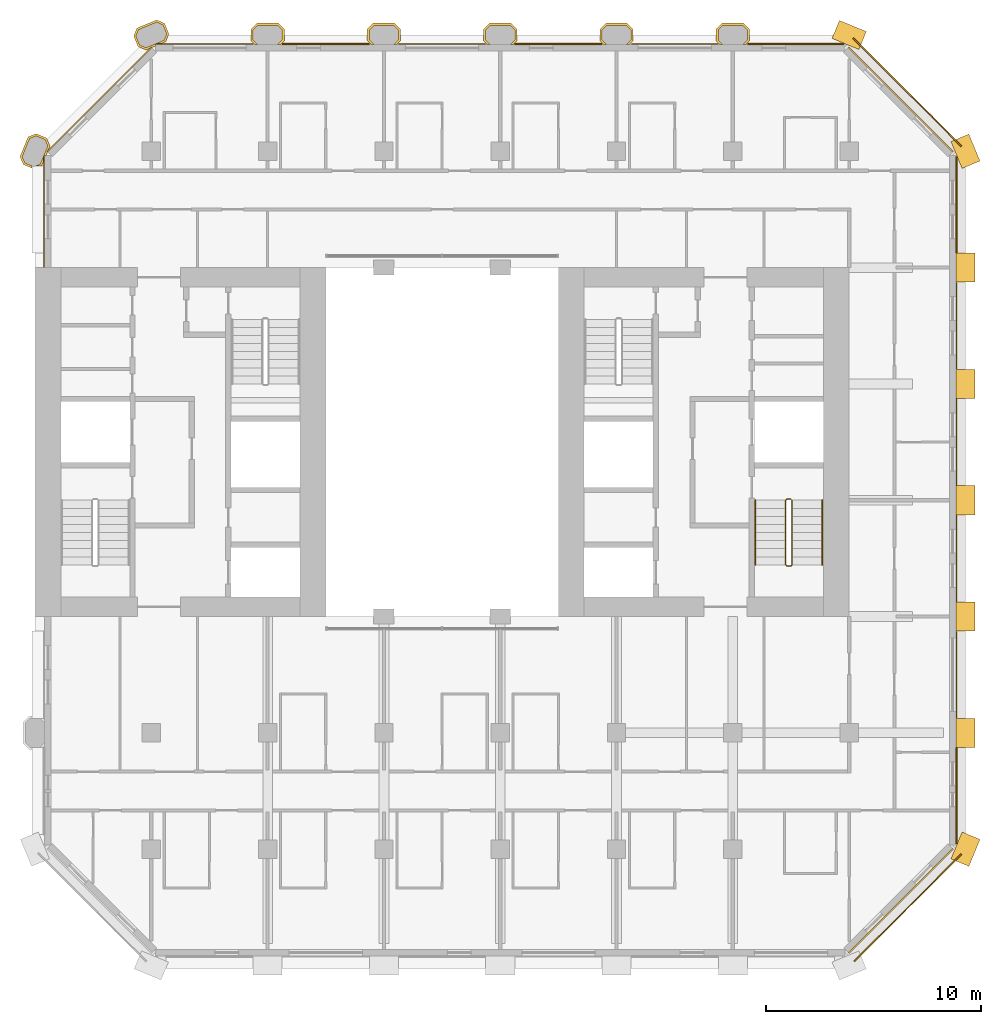
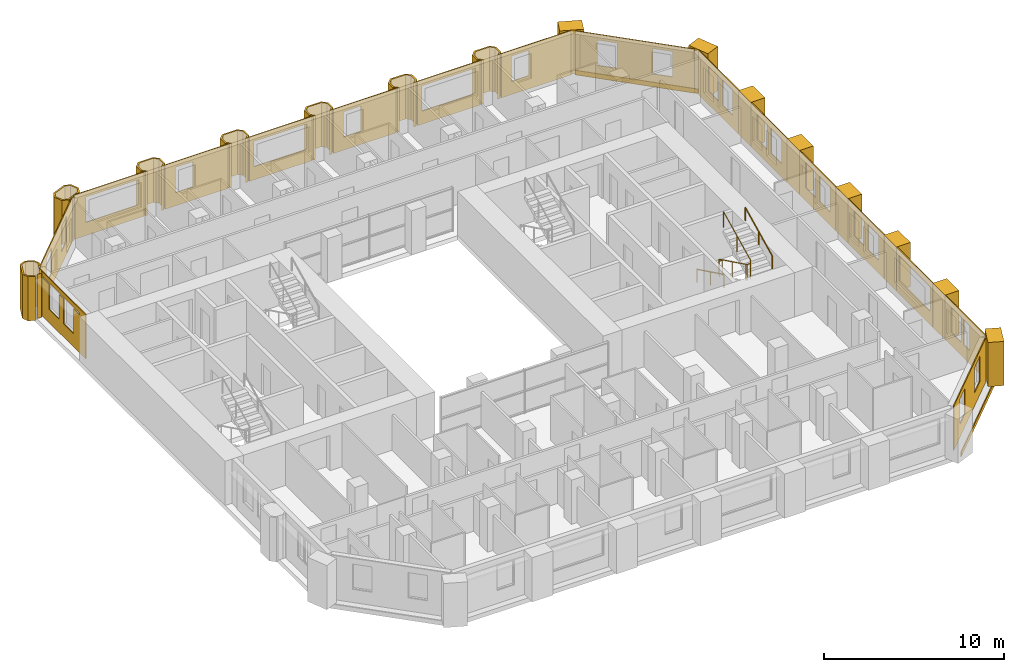
# One storey, part 16 of 16: 33 coverings, 3 railings.
"""IFC4 building model written with IfcOpenShell, lengths in metres."""

import ifcopenshell
import ifcopenshell.guid

model = None  # the IFC model being written
_history = None  # IfcOwnerHistory: only IFC2X3 demands one
_inside = {}  # id of a spatial element -> (the spatial element, [elements in it])
_under = {}  # id of a project, library or spatial element -> (it, [spatial elements below it])
_declared = {}  # id of a project -> (the project, [libraries it declares])
_typed = {}  # id of a type object -> (the type object, [elements of that type])
_made_of = {}  # id of a material, layer set ... -> (it, [elements and type objects made of it])


def new_model(schema):
    """Start an empty IFC model of exactly this schema.

    Asked for "IFC4X3", IfcOpenShell would pick the latest addendum, in which some entities
    have other attributes; the version numbers below select the first issue.
    IFC2X3 requires an IfcOwnerHistory on every rooted entity: one is made here for all.
    """
    global model, _history
    if schema == "IFC4X3":
        model = ifcopenshell.file(schema_version=(4, 3, 0, 0))
    else:
        model = ifcopenshell.file(schema=schema)
    _inside.clear()
    _under.clear()
    _declared.clear()
    _typed.clear()
    _made_of.clear()
    _history = None
    if model.schema == "IFC2X3":
        org = make("IfcOrganization", Name="unknown")
        user = make(
            "IfcPersonAndOrganization",
            ThePerson=make("IfcPerson", FamilyName="unknown"),
            TheOrganization=org,
        )
        app = make(
            "IfcApplication",
            ApplicationDeveloper=org,
            Version="unknown",
            ApplicationFullName="unknown",
            ApplicationIdentifier="unknown",
        )
        _history = make(
            "IfcOwnerHistory",
            OwningUser=user,
            OwningApplication=app,
            ChangeAction="ADDED",
            CreationDate=0,
        )
    return model


def make(cls, **values):
    """One entity of the class cls with the attributes given. An attribute that is None is left unset."""
    return model.create_entity(
        cls, **{name: value for name, value in values.items() if value is not None}
    )


def rooted(cls, **values):
    """An entity with a GlobalId (a new one), such as an element, a storey or a relation."""
    return make(cls, GlobalId=ifcopenshell.guid.new(), OwnerHistory=_history, **values)


def si_unit(unit_type, name, prefix=None):
    """IfcSIUnit, for example si_unit("LENGTHUNIT", "METRE", prefix="MILLI")."""
    return make("IfcSIUnit", UnitType=unit_type, Prefix=prefix, Name=name)


def assignment(units):
    """IfcUnitAssignment: the units of a project."""
    return None if units is None else make("IfcUnitAssignment", Units=units)


def point(xyz):
    """IfcCartesianPoint."""
    return None if xyz is None else make("IfcCartesianPoint", Coordinates=xyz)


def direction(xyz):
    """IfcDirection."""
    return None if xyz is None else make("IfcDirection", DirectionRatios=xyz)


def frame(location, z_axis=None, x_axis=None):
    """IfcAxis2Placement3D, a coordinate frame: its origin and axes. An axis left out is left unset."""
    return make(
        "IfcAxis2Placement3D",
        Location=point(location),
        Axis=direction(z_axis),
        RefDirection=direction(x_axis),
    )


def frame_2d(location, x_axis=None):
    """IfcAxis2Placement2D, a coordinate frame in the plane: its origin and x axis."""
    return make(
        "IfcAxis2Placement2D", Location=point(location), RefDirection=direction(x_axis)
    )


def origin():
    """The frame at (0, 0, 0) with its axes left unset."""
    return frame((0.0, 0.0, 0.0))


def origin_2d():
    """The frame at (0, 0) in the plane with its x axis left unset."""
    return frame_2d((0.0, 0.0))


def place(relative_to, where):
    """IfcLocalPlacement: puts the frame where relative to a parent placement (None: the world)."""
    return make(
        "IfcLocalPlacement", PlacementRelTo=relative_to, RelativePlacement=where
    )


def context(
    kind, dimensions, precision=None, world=None, true_north=None, identifier=None
):
    """IfcGeometricRepresentationContext, for example the 3D "Model" context."""
    return make(
        "IfcGeometricRepresentationContext",
        ContextIdentifier=identifier,
        ContextType=kind,
        CoordinateSpaceDimension=dimensions,
        Precision=precision,
        WorldCoordinateSystem=world,
        TrueNorth=true_north,
    )


def subcontext(parent, identifier, kind, view, scale=None):
    """IfcGeometricRepresentationSubContext, for example "Body" below "Model"."""
    return make(
        "IfcGeometricRepresentationSubContext",
        ContextIdentifier=identifier,
        ContextType=kind,
        ParentContext=parent,
        TargetScale=scale,
        TargetView=view,
    )


def project(units=None, contexts=None):
    """IfcProject with its units and contexts."""
    return rooted(
        "IfcProject",
        Name="project",
        RepresentationContexts=contexts,
        UnitsInContext=assignment(units),
    )


def spatial(cls, under=None, at=None, **own):
    """A site, building, storey or space (cls), placed at a placement, below another one or the project."""
    s = rooted(cls, ObjectPlacement=at, **own)
    if under is not None:
        _under.setdefault(under.id(), (under, []))[1].append(s)
    return s


def polyline(points):
    """IfcPolyline through the points."""
    return make("IfcPolyline", Points=[point(p) for p in points])


def profile(cls, at=None, kind="AREA", **sizes):
    """A parametric profile (cls). Its sizes go by their IFC names, for example OverallWidth=200.0."""
    return make(cls, ProfileType=kind, Position=at, **sizes)


def rectangle(**sizes):
    """IfcRectangleProfileDef."""
    return profile("IfcRectangleProfileDef", **sizes)


def circle(**sizes):
    """IfcCircleProfileDef."""
    return profile("IfcCircleProfileDef", **sizes)


def outline(outer, holes=None, kind="AREA"):
    """IfcArbitraryClosedProfileDef: a profile drawn as a closed curve; with holes, ...WithVoids."""
    if holes is None:
        return make("IfcArbitraryClosedProfileDef", ProfileType=kind, OuterCurve=outer)
    return make(
        "IfcArbitraryProfileDefWithVoids",
        ProfileType=kind,
        OuterCurve=outer,
        InnerCurves=holes,
    )


def extrude(swept, where, along, depth):
    """IfcExtrudedAreaSolid: the profile swept, set in the frame where, extruded along a direction by depth."""
    return make(
        "IfcExtrudedAreaSolid",
        SweptArea=swept,
        Position=where,
        ExtrudedDirection=direction(along),
        Depth=depth,
    )


def shape(context_of_items, identifier, shape_type, items):
    """IfcShapeRepresentation: the items that make up one representation, for example the "Body"."""
    return make(
        "IfcShapeRepresentation",
        ContextOfItems=context_of_items,
        RepresentationIdentifier=identifier,
        RepresentationType=shape_type,
        Items=items,
    )


def material(Name=None, Category=None):
    """IfcMaterial."""
    return make("IfcMaterial", Name=Name, Category=Category)


def layer(
    of_material, thickness, ventilated=None, Name=None, Category=None, Priority=None
):
    """IfcMaterialLayer: one layer of a wall or slab, of a material (None: an air gap)."""
    return make(
        "IfcMaterialLayer",
        Material=of_material,
        LayerThickness=thickness,
        IsVentilated=ventilated,
        Name=Name,
        Category=Category,
        Priority=Priority,
    )


def layer_set(layers, Name=None):
    """IfcMaterialLayerSet."""
    return make("IfcMaterialLayerSet", MaterialLayers=layers, LayerSetName=Name)


def made_of(thing, what):
    """Note that an element or type object is made of a material, layer set ...; save() writes the relation."""
    if what is not None:
        _made_of.setdefault(what.id(), (what, []))[1].append(thing)
    return thing


def type_object(cls, material=None, **own):
    """A type object (cls), such as IfcWallType, which elements share."""
    return made_of(rooted(cls, **own), material)


def element(
    cls,
    number,
    at=None,
    inside=None,
    cuts=None,
    type_object=None,
    material=None,
    context=None,
    identifier="Body",
    shape_type=None,
    held_by="IfcProductDefinitionShape",
    body=None,
    shapes=None,
    **own,
):
    """One element of the class cls, such as IfcWall. Its Tag is "e" and its number.

    at: its placement. inside: the storey or other place that contains it. cuts: it is an
    opening in that element (IfcRelVoidsElement). A single representation is given by context,
    identifier, shape_type and body (its items); several are given by shapes. held_by: the class
    of the entity that holds the representations. save() writes the other relations.
    """
    e = rooted(cls, Tag="e%d" % number, ObjectPlacement=at, **own)
    if body is not None:
        shapes = [shape(context, identifier, shape_type, body)]
    if shapes is not None:
        e.Representation = make(held_by, Representations=shapes)
    if inside is not None:
        _inside.setdefault(inside.id(), (inside, []))[1].append(e)
    if cuts is not None:
        rooted(
            "IfcRelVoidsElement", RelatingBuildingElement=cuts, RelatedOpeningElement=e
        )
    if type_object is not None:
        _typed.setdefault(type_object.id(), (type_object, []))[1].append(e)
    return made_of(e, material)


def aggregate(whole, parts):
    """IfcRelAggregates: a whole, such as a stair, and the parts it consists of."""
    return rooted("IfcRelAggregates", RelatingObject=whole, RelatedObjects=parts)


def save(model, path):
    """Write the relations noted so far, then the file.

    IfcRelAggregates (storeys below a building ...), IfcRelContainedInSpatialStructure (elements
    in a storey), IfcRelDefinesByType, IfcRelAssociatesMaterial and IfcRelDeclares: one each for
    every whole, place, type object, material and project.
    """
    for whole, parts in _under.values():
        aggregate(whole, parts)
    for where, things in _inside.values():
        rooted(
            "IfcRelContainedInSpatialStructure",
            RelatedElements=things,
            RelatingStructure=where,
        )
    for kind, things in _typed.values():
        rooted("IfcRelDefinesByType", RelatedObjects=things, RelatingType=kind)
    for what, things in _made_of.values():
        rooted("IfcRelAssociatesMaterial", RelatedObjects=things, RelatingMaterial=what)
    for by, libraries in _declared.values():
        rooted("IfcRelDeclares", RelatingContext=by, RelatedDefinitions=libraries)
    model.write(path)


model = new_model("IFC4")

# Units and contexts
model_context = context("Model", 3, precision=1e-05, world=origin(), true_north=direction((0.0, 1.0)))
body_context = subcontext(model_context, "Body", "Model", "MODEL_VIEW")
ifc_project = project(units=[si_unit("LENGTHUNIT", "METRE"), si_unit("AREAUNIT", "SQUARE_METRE"), si_unit("VOLUMEUNIT", "CUBIC_METRE"), si_unit("PLANEANGLEUNIT", "RADIAN"), si_unit("MASSUNIT", "GRAM", prefix="KILO")], contexts=[model_context])

# Site, building, storey
site_placement = place(None, origin())
site = spatial("IfcSite", under=ifc_project, at=site_placement, CompositionType="ELEMENT")
building_placement = place(site_placement, origin())
building = spatial("IfcBuilding", under=site, at=building_placement, Name="Tabaq Tower and Sports Hall", CompositionType="ELEMENT")
storey_placement = place(building_placement, frame((0.0, 0.0, 156.10009765625)))
storey = spatial("IfcBuildingStorey", under=building, at=storey_placement, Name="L36", CompositionType="ELEMENT", Elevation=156.10009765625)

# Coverings
ifc_material_1 = material(Name="Precast concrete C60/75", Category="concrete")
ifc_layer_1 = layer(ifc_material_1, 0.10009765625)
ifc_layer_set_1 = layer_set([ifc_layer_1], Name="Column cladding 100")
covering_type_1 = type_object("IfcCoveringType", Name="Column cladding 100", PredefinedType="CLADDING", material=ifc_layer_set_1)
covering_1_placement = place(storey_placement, origin())
element("IfcCovering", 1, at=covering_1_placement, inside=storey, type_object=covering_type_1, Name="Column cladding L36 PC-2H-H1", PredefinedType="CLADDING", context=body_context, shape_type="SweptSolid", body=[
    extrude(outline(polyline([(4.857421875, 37.186279296875), (4.7041015625, 37.556396484375), (5.080078125, 38.46435546875), (5.450439453125, 38.61767578125), (5.9423828125, 38.413818359375), (6.095947265625, 38.04345703125), (6.026123046875, 37.875), (5.9501953125, 37.799072265625), (5.9814453125, 37.767578125), (5.91796875, 37.614013671875), (5.849609375, 37.614013671875), (5.849609375, 37.55712890625), (5.789794921875, 37.55712890625), (5.789794921875, 37.304443359375), (5.7197265625, 37.1357421875), (5.694580078125, 37.125244140625), (5.434814453125, 37.125244140625), (5.643798828125, 37.2119140625), (5.98828125, 38.04345703125), (5.866455078125, 38.337646484375), (5.450439453125, 38.510009765625), (5.15625, 38.38818359375), (4.811767578125, 37.556396484375), (4.93359375, 37.26220703125), (5.26416015625, 37.125244140625), (5.249755859375, 37.125244140625), (5.249755859375, 37.023681640625), (4.857421875, 37.186279296875)])), origin(), (0.0, 0.0, 1.0), 3.0),
])
covering_2_placement = place(storey_placement, origin())
element("IfcCovering", 2, at=covering_2_placement, inside=storey, type_object=covering_type_1, Name="Column cladding L36 PC-3I-H1", PredefinedType="CLADDING", context=body_context, shape_type="SweptSolid", body=[
    extrude(outline(polyline([(9.982421875, 43.149658203125), (10.1357421875, 43.519775390625), (11.04345703125, 43.895751953125), (11.413818359375, 43.742431640625), (11.61767578125, 43.25048828125), (11.46435546875, 42.880126953125), (11.295654296875, 42.810302734375), (11.04296875, 42.810302734375), (11.04296875, 42.750244140625), (10.986083984375, 42.750244140625), (10.986083984375, 42.68212890625), (10.83251953125, 42.618408203125), (10.801025390625, 42.64990234375), (10.72509765625, 42.573974609375), (10.556396484375, 42.504150390625), (10.186279296875, 42.657470703125), (9.982421875, 43.149658203125)]), holes=[polyline([(11.510009765625, 43.25048828125), (11.337646484375, 43.66650390625), (11.04345703125, 43.788330078125), (10.2119140625, 43.44384765625), (10.08984375, 43.149658203125), (10.26220703125, 42.733642578125), (10.556396484375, 42.61181640625), (11.38818359375, 42.956298828125), (11.510009765625, 43.25048828125)])]), origin(), (0.0, 0.0, 1.0), 3.0),
])
covering_3_placement = place(storey_placement, origin())
element("IfcCovering", 3, at=covering_3_placement, inside=storey, type_object=covering_type_1, Name="Column cladding L36 PC-4I-H1", PredefinedType="CLADDING", context=body_context, shape_type="SweptSolid", body=[
    extrude(outline(polyline([(15.42529296875, 43.46630859375), (15.708740234375, 43.749755859375), (16.69140625, 43.749755859375), (16.974609375, 43.46630859375), (16.974609375, 42.93359375), (16.791259765625, 42.750244140625), (16.650634765625, 42.750244140625), (16.875244140625, 42.974853515625), (16.875244140625, 43.425048828125), (16.650146484375, 43.650390625), (15.749755859375, 43.650390625), (15.524658203125, 43.425048828125), (15.524658203125, 42.974853515625), (15.749267578125, 42.750244140625), (15.608642578125, 42.750244140625), (15.42529296875, 42.93359375), (15.42529296875, 43.46630859375)])), origin(), (0.0, 0.0, 1.0), 3.0),
])
covering_4_placement = place(storey_placement, origin())
element("IfcCovering", 4, at=covering_4_placement, inside=storey, type_object=covering_type_1, Name="Column cladding L36 PC-5I-H1", PredefinedType="CLADDING", context=body_context, shape_type="SweptSolid", body=[
    extrude(outline(polyline([(20.8251953125, 43.46630859375), (21.108642578125, 43.749755859375), (22.09130859375, 43.749755859375), (22.374755859375, 43.46630859375), (22.374755859375, 42.93359375), (22.19140625, 42.750244140625), (22.05078125, 42.750244140625), (22.275390625, 42.974853515625), (22.275390625, 43.425048828125), (22.050048828125, 43.650390625), (21.14990234375, 43.650390625), (20.9248046875, 43.425048828125), (20.9248046875, 42.974853515625), (21.149169921875, 42.750244140625), (21.0087890625, 42.750244140625), (20.8251953125, 42.93359375), (20.8251953125, 43.46630859375)])), origin(), (0.0, 0.0, 1.0), 3.0),
])
covering_5_placement = place(storey_placement, origin())
element("IfcCovering", 5, at=covering_5_placement, inside=storey, type_object=covering_type_1, Name="Column cladding L36 PC-6I-H1", PredefinedType="CLADDING", context=body_context, shape_type="SweptSolid", body=[
    extrude(outline(polyline([(26.225341796875, 43.46630859375), (26.5087890625, 43.749755859375), (27.4912109375, 43.749755859375), (27.774658203125, 43.46630859375), (27.774658203125, 42.93359375), (27.59130859375, 42.750244140625), (27.45068359375, 42.750244140625), (27.67529296875, 42.974853515625), (27.67529296875, 43.425048828125), (27.4501953125, 43.650390625), (26.5498046875, 43.650390625), (26.32470703125, 43.425048828125), (26.32470703125, 42.974853515625), (26.54931640625, 42.750244140625), (26.40869140625, 42.750244140625), (26.225341796875, 42.93359375), (26.225341796875, 43.46630859375)])), origin(), (0.0, 0.0, 1.0), 3.0),
])
covering_6_placement = place(storey_placement, origin())
element("IfcCovering", 6, at=covering_6_placement, inside=storey, type_object=covering_type_1, Name="Column cladding L36 PC-7I-H1", PredefinedType="CLADDING", context=body_context, shape_type="SweptSolid", body=[
    extrude(outline(polyline([(31.625244140625, 43.46630859375), (31.90869140625, 43.749755859375), (32.891357421875, 43.749755859375), (33.1748046875, 43.46630859375), (33.1748046875, 42.93359375), (32.9912109375, 42.750244140625), (32.850830078125, 42.750244140625), (33.0751953125, 42.974853515625), (33.0751953125, 43.425048828125), (32.85009765625, 43.650390625), (31.949951171875, 43.650390625), (31.724609375, 43.425048828125), (31.724609375, 42.974853515625), (31.94921875, 42.750244140625), (31.80859375, 42.750244140625), (31.625244140625, 42.93359375), (31.625244140625, 43.46630859375)])), origin(), (0.0, 0.0, 1.0), 3.0),
])
covering_7_placement = place(storey_placement, origin())
element("IfcCovering", 7, at=covering_7_placement, inside=storey, type_object=covering_type_1, Name="Column cladding L36 PC-8I-H1", PredefinedType="CLADDING", context=body_context, shape_type="SweptSolid", body=[
    extrude(outline(polyline([(37.025390625, 43.46630859375), (37.30859375, 43.749755859375), (38.291259765625, 43.749755859375), (38.57470703125, 43.46630859375), (38.57470703125, 42.93359375), (38.391357421875, 42.750244140625), (38.250732421875, 42.750244140625), (38.475341796875, 42.974853515625), (38.475341796875, 43.425048828125), (38.250244140625, 43.650390625), (37.349853515625, 43.650390625), (37.124755859375, 43.425048828125), (37.124755859375, 42.974853515625), (37.349365234375, 42.750244140625), (37.208740234375, 42.750244140625), (37.025390625, 42.93359375), (37.025390625, 43.46630859375)])), origin(), (0.0, 0.0, 1.0), 3.0),
])
ifc_material_2 = material(Name="Precast concrete C60/75", Category="concrete")
ifc_layer_2 = layer(ifc_material_2, 0.06005859375)
ifc_layer_set_2 = layer_set([ifc_layer_2], Name="Edge beam cladding 60")
covering_type_2 = type_object("IfcCoveringType", Name="Edge beam cladding 60", PredefinedType="CLADDING", material=ifc_layer_set_2)
covering_8_placement = place(storey_placement, frame((43.432373046875, 0.18994140625, -0.300048828125), z_axis=(0.0, 0.0, 1.0), x_axis=(0.707106781187, 0.707106781187, 0.0)))
element("IfcCovering", 8, at=covering_8_placement, inside=storey, type_object=covering_type_2, Name="Edge beam cladding L36 2", PredefinedType="CLADDING", context=body_context, shape_type="SweptSolid", body=[
    extrude(rectangle(XDim=7.03955078125, YDim=0.06005859375, at=frame_2d((3.519775390625, 0.0))), origin(), (0.0, 0.0, 1.0), 0.300048828125),
])
covering_9_placement = place(storey_placement, frame((48.41015625, 38.0322265625, -0.300048828125), z_axis=(0.0, 0.0, 1.0), x_axis=(-0.707106781187, 0.707106781187, 0.0)))
element("IfcCovering", 9, at=covering_9_placement, inside=storey, type_object=covering_type_2, Name="Edge beam cladding L36 4", PredefinedType="CLADDING", context=body_context, shape_type="SweptSolid", body=[
    extrude(rectangle(XDim=7.08837890625, YDim=0.06005859375, at=frame_2d((3.544189453125, 0.0))), origin(), (0.0, 0.0, 1.0), 0.300048828125),
])
ifc_material_3 = material(Name="White precast concrete C60/75", Category="concrete")
covering_type_3 = type_object("IfcCoveringType", Name="Pier cladding hung 1350x900", PredefinedType="CLADDING", material=ifc_material_3)
for number, where, z_axis, x_axis, name in (
    (10, (43.82373046875, 42.941650390625, 0.0), (0.0, 0.0, 1.0), (-0.923893411637, 0.382649923473, 0.0), "Hung pier cladding 8/8"),
    (11, (48.341796875, 4.7763671875, 0.0), (0.0, 0.0, 1.0), (0.382649923473, 0.923893411637, 0.0), "Hung pier cladding 9/1"),
    (12, (48.60009765625, 10.125, 0.0), (0.0, 0.0, 1.0), (0.0, 1.0, 0.0), "Hung pier cladding 9/2"),
    (13, (48.60009765625, 15.52490234375, 0.0), (0.0, 0.0, 1.0), (0.0, 1.0, 0.0), "Hung pier cladding 9/3"),
):
    element("IfcCovering", number, at=place(storey_placement, frame(where, z_axis=z_axis, x_axis=x_axis)), inside=storey, type_object=covering_type_3, Name=name, PredefinedType="CLADDING", context=body_context, shape_type="SweptSolid", body=[
        extrude(rectangle(XDim=1.35009765625, YDim=0.89990234375, at=frame_2d((0.675048828125, 0.0))), origin(), (0.0, 0.0, 1.0), 3.0),
    ])
covering_10_placement = place(storey_placement, frame((48.60009765625, 20.925048828125, 0.0), z_axis=(0.0, 0.0, 1.0), x_axis=(0.0, 1.0, 0.0)))
element("IfcCovering", 14, at=covering_10_placement, inside=storey, type_object=covering_type_3, Name="Hung pier cladding 9/4", PredefinedType="CLADDING", context=body_context, shape_type="SweptSolid", body=[
    extrude(rectangle(XDim=1.349853515625, YDim=0.89990234375, at=frame_2d((0.6748046875, 0.0))), origin(), (0.0, 0.0, 1.0), 3.0),
])
covering_11_placement = place(storey_placement, frame((48.60009765625, 26.324951171875, 0.0), z_axis=(0.0, 0.0, 1.0), x_axis=(0.0, 1.0, 0.0)))
element("IfcCovering", 15, at=covering_11_placement, inside=storey, type_object=covering_type_3, Name="Hung pier cladding 9/5", PredefinedType="CLADDING", context=body_context, shape_type="SweptSolid", body=[
    extrude(rectangle(XDim=1.35009765625, YDim=0.89990234375, at=frame_2d((0.675048828125, 0.0))), origin(), (0.0, 0.0, 1.0), 3.0),
])
covering_12_placement = place(storey_placement, frame((48.60009765625, 31.72509765625, 0.0), z_axis=(0.0, 0.0, 1.0), x_axis=(0.0, 1.0, 0.0)))
element("IfcCovering", 16, at=covering_12_placement, inside=storey, type_object=covering_type_3, Name="Hung pier cladding 9/6", PredefinedType="CLADDING", context=body_context, shape_type="SweptSolid", body=[
    extrude(rectangle(XDim=1.349853515625, YDim=0.89990234375, at=frame_2d((0.6748046875, 0.0))), origin(), (0.0, 0.0, 1.0), 3.0),
])
covering_13_placement = place(storey_placement, frame((48.8583984375, 37.17626953125, 0.0), z_axis=(0.0, 0.0, 1.0), x_axis=(-0.382649923473, 0.923893411637, 0.0)))
element("IfcCovering", 17, at=covering_13_placement, inside=storey, type_object=covering_type_3, Name="Hung pier cladding 9/7", PredefinedType="CLADDING", context=body_context, shape_type="SweptSolid", body=[
    extrude(rectangle(XDim=1.35009765625, YDim=0.89990234375, at=frame_2d((0.675048828125, 0.0))), origin(), (0.0, 0.0, 1.0), 3.0),
])

# Railings
ifc_material_4 = material(Name="Stainless steel", Category="steel")
railing_type_1 = type_object("IfcRailingType", Name="Stair guard", PredefinedType="GUARDRAIL", material=ifc_material_4)
railing_1_placement = place(storey_placement, frame((40.5, 21.64990234375, 0.0)))
element("IfcRailing", 18, at=railing_1_placement, inside=storey, type_object=railing_type_1, Name="L36 ST3 stair guard 1", PredefinedType="GUARDRAIL", context=body_context, shape_type="SweptSolid", body=[
    extrude(circle(Radius=0.02392578125, at=origin_2d()), frame((0.0, 0.0, 1.076171875), z_axis=(-1.0, 0.0, 0.0), x_axis=(0.0, -1.0, 0.0)), (0.0, 0.0, 1.0), 0.199951171875),
    extrude(circle(Radius=0.02392578125, at=origin_2d()), frame((-0.199951171875, 0.0, 1.076171875), z_axis=(-0.254733673405, -0.25349107012, 0.933195066962), x_axis=(0.705375805398, -0.708833529934, 0.0)), (0.0, 0.0, 1.0), 0.196533203125),
    extrude(circle(Radius=0.02392578125, at=origin_2d()), frame((-0.25, -0.0498046875, 1.25927734375), z_axis=(0.0, -0.898397823093, 0.439182594671), x_axis=(1.0, 0.0, 0.0)), (0.0, 0.0, 1.0), 3.33935546875),
    extrude(circle(Radius=0.02392578125, at=origin_2d()), frame((-0.25, -3.0498046875, 2.72607421875), z_axis=(0.707106781187, -0.707106781187, 0.0), x_axis=(0.707106781187, 0.707106781187, 0.0)), (0.0, 0.0, 1.0), 0.07080078125),
    extrude(circle(Radius=0.02392578125, at=origin_2d()), frame((-0.199951171875, -3.099853515625, 2.72607421875), z_axis=(1.0, 0.0, 0.0), x_axis=(0.0, 1.0, 0.0)), (0.0, 0.0, 1.0), 0.199951171875),
    extrude(circle(Radius=0.02392578125, at=origin_2d()), frame((0.0, -3.099853515625, 2.72607421875), z_axis=(0.254653276557, 0.254653276557, 0.932900539971), x_axis=(-0.707106781187, 0.707106781187, 0.0)), (0.0, 0.0, 1.0), 0.196533203125),
    extrude(circle(Radius=0.02392578125, at=origin_2d()), frame((0.050048828125, -3.0498046875, 2.9091796875), z_axis=(0.0, 0.898397823093, 0.439182594671), x_axis=(-1.0, 0.0, 0.0)), (0.0, 0.0, 1.0), 3.33935546875),
    extrude(circle(Radius=0.02099609375, at=origin_2d()), origin(), (0.0, 0.0, 1.0), 1.052001953125),
    extrude(circle(Radius=0.02099609375, at=origin_2d()), frame((-0.199951171875, 0.0, 0.0)), (0.0, 0.0, 1.0), 1.052001953125),
    extrude(circle(Radius=0.02099609375, at=origin_2d()), frame((-0.25, -0.0498046875, 0.183349609375)), (0.0, 0.0, 1.0), 1.052001953125),
    extrude(circle(Radius=0.02099609375, at=origin_2d()), frame((-0.25, -1.5498046875, 0.91650390625)), (0.0, 0.0, 1.0), 1.052001953125),
    extrude(circle(Radius=0.02099609375, at=origin_2d()), frame((-0.25, -3.0498046875, 1.64990234375)), (0.0, 0.0, 1.0), 1.052001953125),
    extrude(circle(Radius=0.02099609375, at=origin_2d()), frame((-0.199951171875, -3.099853515625, 1.64990234375)), (0.0, 0.0, 1.0), 1.052001953125),
    extrude(circle(Radius=0.02099609375, at=origin_2d()), frame((0.0, -3.099853515625, 1.64990234375)), (0.0, 0.0, 1.0), 1.052001953125),
    extrude(circle(Radius=0.02099609375, at=origin_2d()), frame((0.050048828125, -3.0498046875, 1.833251953125)), (0.0, 0.0, 1.0), 1.052001953125),
    extrude(circle(Radius=0.02099609375, at=origin_2d()), frame((0.050048828125, -1.5498046875, 2.56640625)), (0.0, 0.0, 1.0), 1.052001953125),
    extrude(circle(Radius=0.02099609375, at=origin_2d()), frame((0.050048828125, -0.0498046875, 3.2998046875)), (0.0, 0.0, 1.0), 1.052001953125),
])
ifc_material_5 = material(Name="Stainless steel", Category="steel")
railing_type_2 = type_object("IfcRailingType", Name="Stair handrail", PredefinedType="HANDRAIL", material=ifc_material_5)
railing_2_placement = place(storey_placement, frame((38.85009765625, 21.60009765625, 0.183349609375)))
element("IfcRailing", 19, at=railing_2_placement, inside=storey, type_object=railing_type_2, Name="L36 ST3 stair handrail 1", PredefinedType="HANDRAIL", context=body_context, shape_type="SweptSolid", body=[
    extrude(circle(Radius=0.02392578125, at=origin_2d()), frame((0.0, 0.0, 0.8759765625), z_axis=(0.0, -0.898397823093, 0.439182594671), x_axis=(1.0, 0.0, 0.0)), (0.0, 0.0, 1.0), 3.33935546875),
    extrude(circle(Radius=0.02099609375, at=origin_2d()), origin(), (0.0, 0.0, 1.0), 0.851806640625),
    extrude(circle(Radius=0.02099609375, at=origin_2d()), frame((0.0, -1.5, 0.7333984375)), (0.0, 0.0, 1.0), 0.851806640625),
    extrude(circle(Radius=0.02099609375, at=origin_2d()), frame((0.0, -3.0, 1.466552734375)), (0.0, 0.0, 1.0), 0.851806640625),
])
railing_3_placement = place(storey_placement, frame((41.949951171875, 18.60009765625, 1.833251953125)))
element("IfcRailing", 20, at=railing_3_placement, inside=storey, type_object=railing_type_2, Name="L36 ST3 stair handrail 2", PredefinedType="HANDRAIL", context=body_context, shape_type="SweptSolid", body=[
    extrude(circle(Radius=0.02392578125, at=origin_2d()), frame((0.0, 0.0, 0.8759765625), z_axis=(0.0, 0.898397823093, 0.439182594671), x_axis=(-1.0, 0.0, 0.0)), (0.0, 0.0, 1.0), 3.33935546875),
    extrude(circle(Radius=0.02099609375, at=origin_2d()), origin(), (0.0, 0.0, 1.0), 0.851806640625),
    extrude(circle(Radius=0.02099609375, at=origin_2d()), frame((0.0, 1.5, 0.7333984375)), (0.0, 0.0, 1.0), 0.851806640625),
    extrude(circle(Radius=0.02099609375, at=origin_2d()), frame((0.0, 3.0, 1.466552734375)), (0.0, 0.0, 1.0), 0.851806640625),
])

# Coverings
ifc_material_6 = material(Name="Precast concrete C60/75", Category="concrete")
ifc_layer_3 = layer(ifc_material_6, 0.06005859375)
ifc_layer_set_3 = layer_set([ifc_layer_3], Name="White precast cladding panel 60 C60/75")
covering_type_4 = type_object("IfcCoveringType", Name="White precast cladding panel 60 C60/75", PredefinedType="CLADDING", material=ifc_layer_set_3)
covering_14_placement = place(storey_placement, frame((43.177734375, 0.57177734375, 0.0), z_axis=(0.0, 0.0, 1.0), x_axis=(0.707106781187, 0.707106781187, 0.0)))
element("IfcCovering", 21, at=covering_14_placement, inside=storey, type_object=covering_type_4, Name="White precast cladding panel L36 wall01", PredefinedType="CLADDING", context=body_context, shape_type="SweptSolid", body=[
    extrude(outline(polyline([(0.0, 0.0), (6.85986328125, 0.0), (6.85986328125, 3.0), (0.0, 3.0), (0.0, 0.0)]), holes=[polyline([(1.269775390625, 2.60986328125), (2.389892578125, 2.60986328125), (2.389892578125, 0.889892578125), (1.269775390625, 0.889892578125), (1.269775390625, 2.60986328125)]), polyline([(4.4697265625, 2.60986328125), (5.58984375, 2.60986328125), (5.58984375, 0.889892578125), (4.4697265625, 0.889892578125), (4.4697265625, 2.60986328125)])]), frame((0.0, 0.030029296875, 0.0), z_axis=(0.0, -1.0, 0.0), x_axis=(1.0, 0.0, 0.0)), (0.0, 0.0, 1.0), 0.06005859375),
])
covering_15_placement = place(storey_placement, frame((48.179931640625, 5.64306640625, 0.0), z_axis=(0.0, 0.0, 1.0), x_axis=(0.0, 1.0, 0.0)))
element("IfcCovering", 22, at=covering_15_placement, inside=storey, type_object=covering_type_4, Name="White precast cladding panel L36 wall02", PredefinedType="CLADDING", context=body_context, shape_type="SweptSolid", body=[
    extrude(outline(polyline([(0.0, 0.0), (4.471923828125, 0.0), (4.471923828125, 3.0), (0.0, 3.0), (0.0, 0.0)]), holes=[polyline([(1.721923828125, 2.60986328125), (2.391845703125, 2.60986328125), (2.391845703125, 0.889892578125), (1.721923828125, 0.889892578125), (1.721923828125, 2.60986328125)]), polyline([(2.69677734375, 2.60986328125), (3.81689453125, 2.60986328125), (3.81689453125, 0.889892578125), (2.69677734375, 0.889892578125), (2.69677734375, 2.60986328125)])]), frame((0.0, 0.030029296875, 0.0), z_axis=(0.0, -1.0, 0.0), x_axis=(1.0, 0.0, 0.0)), (0.0, 0.0, 1.0), 0.06005859375),
])
covering_16_placement = place(storey_placement, frame((48.179931640625, 11.485107421875, 0.0), z_axis=(0.0, 0.0, 1.0), x_axis=(0.0, 1.0, 0.0)))
element("IfcCovering", 23, at=covering_16_placement, inside=storey, type_object=covering_type_4, Name="White precast cladding panel L36 wall02 2", PredefinedType="CLADDING", context=body_context, shape_type="SweptSolid", body=[
    extrude(outline(polyline([(0.0, 0.0), (4.02978515625, 0.0), (4.02978515625, 3.0), (0.0, 3.0), (0.0, 0.0)]), holes=[polyline([(0.304931640625, 0.889892578125), (0.304931640625, 2.60986328125), (3.72509765625, 2.60986328125), (3.72509765625, 0.889892578125), (0.304931640625, 0.889892578125)])]), frame((0.0, 0.030029296875, 0.0), z_axis=(0.0, -1.0, 0.0), x_axis=(1.0, 0.0, 0.0)), (0.0, 0.0, 1.0), 0.06005859375),
])
for number, where, z_axis, x_axis, name in (
    (24, (48.179931640625, 16.885009765625, 0.0), (0.0, 0.0, 1.0), (0.0, 1.0, 0.0), "White precast cladding panel L36 wall02 3"),
    (25, (48.179931640625, 22.284912109375, 0.0), (0.0, 0.0, 1.0), (0.0, 1.0, 0.0), "White precast cladding panel L36 wall02 4"),
    (26, (48.179931640625, 27.68505859375, 0.0), (0.0, 0.0, 1.0), (0.0, 1.0, 0.0), "White precast cladding panel L36 wall02 5"),
):
    element("IfcCovering", number, at=place(storey_placement, frame(where, z_axis=z_axis, x_axis=x_axis)), inside=storey, type_object=covering_type_4, Name=name, PredefinedType="CLADDING", context=body_context, shape_type="SweptSolid", body=[
        extrude(outline(polyline([(0.0, 0.0), (4.030029296875, 0.0), (4.030029296875, 3.0), (0.0, 3.0), (0.0, 0.0)]), holes=[polyline([(0.655029296875, 2.60986328125), (1.77490234375, 2.60986328125), (1.77490234375, 0.889892578125), (0.655029296875, 0.889892578125), (0.655029296875, 2.60986328125)]), polyline([(2.2548828125, 2.60986328125), (3.375, 2.60986328125), (3.375, 0.889892578125), (2.2548828125, 0.889892578125), (2.2548828125, 2.60986328125)])]), frame((0.0, 0.030029296875, 0.0), z_axis=(0.0, -1.0, 0.0), x_axis=(1.0, 0.0, 0.0)), (0.0, 0.0, 1.0), 0.06005859375),
    ])
covering_17_placement = place(storey_placement, frame((48.179931640625, 33.0849609375, 0.0), z_axis=(0.0, 0.0, 1.0), x_axis=(0.0, 1.0, 0.0)))
element("IfcCovering", 27, at=covering_17_placement, inside=storey, type_object=covering_type_4, Name="White precast cladding panel L36 wall02 6", PredefinedType="CLADDING", context=body_context, shape_type="SweptSolid", body=[
    extrude(outline(polyline([(0.0, 0.0), (4.471923828125, 0.0), (4.471923828125, 3.0), (0.0, 3.0), (0.0, 0.0)]), holes=[polyline([(0.655029296875, 2.60986328125), (1.77490234375, 2.60986328125), (1.77490234375, 0.889892578125), (0.655029296875, 0.889892578125), (0.655029296875, 2.60986328125)]), polyline([(2.2548828125, 2.60986328125), (3.375, 2.60986328125), (3.375, 0.889892578125), (2.2548828125, 0.889892578125), (2.2548828125, 2.60986328125)])]), frame((0.0, 0.030029296875, 0.0), z_axis=(0.0, -1.0, 0.0), x_axis=(1.0, 0.0, 0.0)), (0.0, 0.0, 1.0), 0.06005859375),
])
covering_18_placement = place(storey_placement, frame((48.0283203125, 37.77783203125, 0.0), z_axis=(0.0, 0.0, 1.0), x_axis=(-0.707124576528, 0.707088985397, 0.0)))
element("IfcCovering", 28, at=covering_18_placement, inside=storey, type_object=covering_type_4, Name="White precast cladding panel L36 wall03", PredefinedType="CLADDING", context=body_context, shape_type="SweptSolid", body=[
    extrude(outline(polyline([(0.0, 0.0), (6.859619140625, 0.0), (6.859619140625, 3.0), (0.0, 3.0), (0.0, 0.0)]), holes=[polyline([(1.269775390625, 2.60986328125), (2.389892578125, 2.60986328125), (2.389892578125, 0.889892578125), (1.269775390625, 0.889892578125), (1.269775390625, 2.60986328125)]), polyline([(4.4697265625, 2.60986328125), (5.58984375, 2.60986328125), (5.58984375, 0.889892578125), (4.4697265625, 0.889892578125), (4.4697265625, 2.60986328125)])]), frame((0.0, 0.030029296875, 0.0), z_axis=(0.0, -1.0, 0.0), x_axis=(1.0, 0.0, 0.0)), (0.0, 0.0, 1.0), 0.06005859375),
])
covering_19_placement = place(storey_placement, frame((42.956787109375, 42.780029296875, 0.0), z_axis=(0.0, 0.0, 1.0), x_axis=(-1.0, 0.0, 0.0)))
element("IfcCovering", 29, at=covering_19_placement, inside=storey, type_object=covering_type_4, Name="White precast cladding panel L36 wall04", PredefinedType="CLADDING", context=body_context, shape_type="SweptSolid", body=[
    extrude(outline(polyline([(0.0, 0.0), (4.4716796875, 0.0), (4.4716796875, 3.0), (0.0, 3.0), (0.0, 0.0)]), holes=[polyline([(2.69677734375, 0.889892578125), (2.69677734375, 2.60986328125), (3.81689453125, 2.60986328125), (3.81689453125, 0.889892578125), (2.69677734375, 0.889892578125)])]), frame((0.0, 0.030029296875, 0.0), z_axis=(0.0, -1.0, 0.0), x_axis=(1.0, 0.0, 0.0)), (0.0, 0.0, 1.0), 0.06005859375),
])
covering_20_placement = place(storey_placement, frame((37.114990234375, 42.780029296875, 0.0), z_axis=(0.0, 0.0, 1.0), x_axis=(-1.0, 0.0, 0.0)))
element("IfcCovering", 30, at=covering_20_placement, inside=storey, type_object=covering_type_4, Name="White precast cladding panel L36 wall04 2", PredefinedType="CLADDING", context=body_context, shape_type="SweptSolid", body=[
    extrude(outline(polyline([(0.0, 0.0), (4.030029296875, 0.0), (4.030029296875, 3.0), (0.0, 3.0), (0.0, 0.0)]), holes=[polyline([(0.304931640625, 0.889892578125), (0.304931640625, 2.60986328125), (3.72509765625, 2.60986328125), (3.72509765625, 0.889892578125), (0.304931640625, 0.889892578125)])]), frame((0.0, 0.030029296875, 0.0), z_axis=(0.0, -1.0, 0.0), x_axis=(1.0, 0.0, 0.0)), (0.0, 0.0, 1.0), 0.06005859375),
])
covering_21_placement = place(storey_placement, frame((31.715087890625, 42.780029296875, 0.0), z_axis=(0.0, 0.0, 1.0), x_axis=(-1.0, 0.0, 0.0)))
element("IfcCovering", 31, at=covering_21_placement, inside=storey, type_object=covering_type_4, Name="White precast cladding panel L36 wall04 3", PredefinedType="CLADDING", context=body_context, shape_type="SweptSolid", body=[
    extrude(outline(polyline([(0.0, 0.0), (4.030029296875, 0.0), (4.030029296875, 3.0), (0.0, 3.0), (0.0, 0.0)]), holes=[polyline([(2.2548828125, 0.889892578125), (2.2548828125, 2.60986328125), (3.375, 2.60986328125), (3.375, 0.889892578125), (2.2548828125, 0.889892578125)])]), frame((0.0, 0.030029296875, 0.0), z_axis=(0.0, -1.0, 0.0), x_axis=(1.0, 0.0, 0.0)), (0.0, 0.0, 1.0), 0.06005859375),
])
covering_22_placement = place(storey_placement, frame((26.31494140625, 42.780029296875, 0.0), z_axis=(0.0, 0.0, 1.0), x_axis=(-1.0, 0.0, 0.0)))
element("IfcCovering", 32, at=covering_22_placement, inside=storey, type_object=covering_type_4, Name="White precast cladding panel L36 wall04 4", PredefinedType="CLADDING", context=body_context, shape_type="SweptSolid", body=[
    extrude(outline(polyline([(0.0, 0.0), (4.030029296875, 0.0), (4.030029296875, 3.0), (0.0, 3.0), (0.0, 0.0)]), holes=[polyline([(0.304931640625, 0.889892578125), (0.304931640625, 2.60986328125), (3.72509765625, 2.60986328125), (3.72509765625, 0.889892578125), (0.304931640625, 0.889892578125)])]), frame((0.0, 0.030029296875, 0.0), z_axis=(0.0, -1.0, 0.0), x_axis=(1.0, 0.0, 0.0)), (0.0, 0.0, 1.0), 0.06005859375),
])
covering_23_placement = place(storey_placement, frame((20.9150390625, 42.780029296875, 0.0), z_axis=(0.0, 0.0, 1.0), x_axis=(-1.0, 0.0, 0.0)))
element("IfcCovering", 33, at=covering_23_placement, inside=storey, type_object=covering_type_4, Name="White precast cladding panel L36 wall04 5", PredefinedType="CLADDING", context=body_context, shape_type="SweptSolid", body=[
    extrude(outline(polyline([(0.0, 0.0), (4.030029296875, 0.0), (4.030029296875, 3.0), (0.0, 3.0), (0.0, 0.0)]), holes=[polyline([(2.2548828125, 0.889892578125), (2.2548828125, 2.60986328125), (3.375, 2.60986328125), (3.375, 0.889892578125), (2.2548828125, 0.889892578125)])]), frame((0.0, 0.030029296875, 0.0), z_axis=(0.0, -1.0, 0.0), x_axis=(1.0, 0.0, 0.0)), (0.0, 0.0, 1.0), 0.06005859375),
])
covering_24_placement = place(storey_placement, frame((15.514892578125, 42.780029296875, 0.0), z_axis=(0.0, 0.0, 1.0), x_axis=(-1.0, 0.0, 0.0)))
element("IfcCovering", 34, at=covering_24_placement, inside=storey, type_object=covering_type_4, Name="White precast cladding panel L36 wall04 6", PredefinedType="CLADDING", context=body_context, shape_type="SweptSolid", body=[
    extrude(outline(polyline([(0.0, 0.0), (4.4716796875, 0.0), (4.4716796875, 3.0), (0.0, 3.0), (0.0, 0.0)]), holes=[polyline([(0.304931640625, 0.889892578125), (0.304931640625, 2.60986328125), (3.72509765625, 2.60986328125), (3.72509765625, 0.889892578125), (0.304931640625, 0.889892578125)])]), frame((0.0, 0.030029296875, 0.0), z_axis=(0.0, -1.0, 0.0), x_axis=(1.0, 0.0, 0.0)), (0.0, 0.0, 1.0), 0.06005859375),
])
covering_25_placement = place(storey_placement, frame((10.822265625, 42.628173828125, 0.0), z_axis=(0.0, 0.0, 1.0), x_axis=(-0.707124576528, -0.707088985397, 0.0)))
element("IfcCovering", 35, at=covering_25_placement, inside=storey, type_object=covering_type_4, Name="White precast cladding panel L36 wall05", PredefinedType="CLADDING", context=body_context, shape_type="SweptSolid", body=[
    extrude(outline(polyline([(0.0, 0.0), (6.859619140625, 0.0), (6.859619140625, 3.0), (0.0, 3.0), (0.0, 0.0)]), holes=[polyline([(1.269775390625, 2.60986328125), (2.389892578125, 2.60986328125), (2.389892578125, 0.889892578125), (1.269775390625, 0.889892578125), (1.269775390625, 2.60986328125)]), polyline([(4.4697265625, 2.60986328125), (5.58984375, 2.60986328125), (5.58984375, 0.889892578125), (4.4697265625, 0.889892578125), (4.4697265625, 2.60986328125)])]), frame((0.0, 0.030029296875, 0.0), z_axis=(0.0, -1.0, 0.0), x_axis=(1.0, 0.0, 0.0)), (0.0, 0.0, 1.0), 0.06005859375),
])
covering_26_placement = place(storey_placement, frame((5.820068359375, 37.556884765625, 0.0), z_axis=(0.0, 0.0, 1.0), x_axis=(0.0, -1.0, 0.0)))
element("IfcCovering", 36, at=covering_26_placement, inside=storey, type_object=covering_type_4, Name="White precast cladding panel L36 wall06", PredefinedType="CLADDING", context=body_context, shape_type="SweptSolid", body=[
    extrude(outline(polyline([(0.0, 0.0), (5.156982421875, 0.0), (5.156982421875, 3.0), (0.0, 3.0), (0.0, 0.0)]), holes=[polyline([(1.096923828125, 2.58984375), (0.421875, 2.58984375), (0.421875, 2.7099609375), (4.491943359375, 2.7099609375), (4.491943359375, 2.58984375), (3.81689453125, 2.58984375), (3.81689453125, 0.889892578125), (2.69677734375, 0.889892578125), (2.69677734375, 2.58984375), (2.216796875, 2.58984375), (2.216796875, 0.889892578125), (1.096923828125, 0.889892578125), (1.096923828125, 2.58984375)])]), frame((0.0, 0.030029296875, 0.0), z_axis=(0.0, -1.0, 0.0), x_axis=(1.0, 0.0, 0.0)), (0.0, 0.0, 1.0), 0.06005859375),
])

save(model, "model.ifc")
